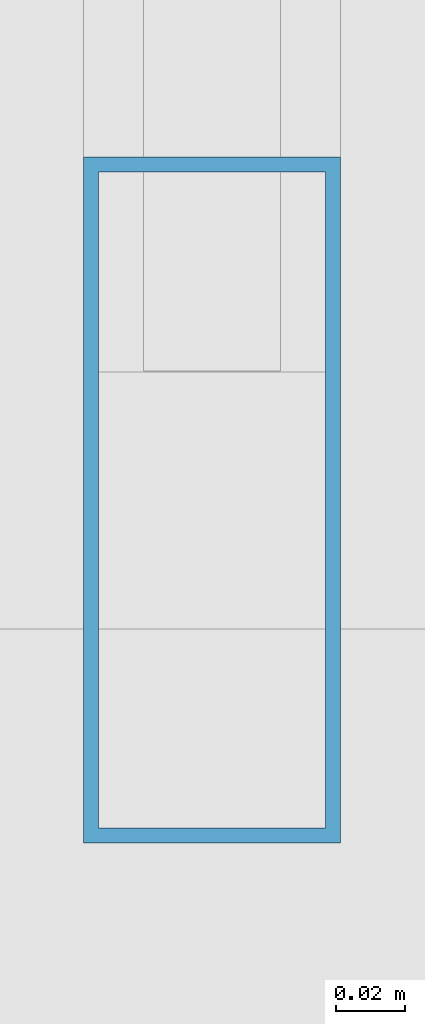
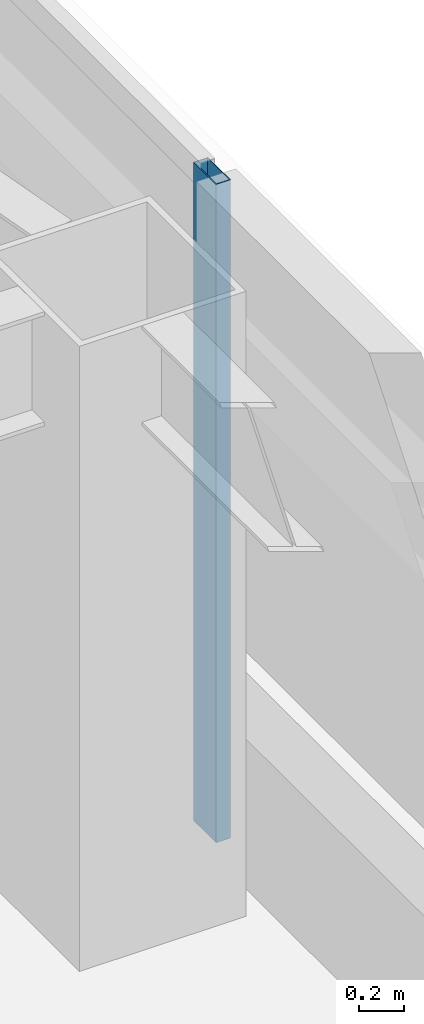
# One storey, part 13 of 50: 1 member, 1 element without a shape of its own.
"""IFC4 building model written with IfcOpenShell, lengths in metres."""

from ifc_helpers import new_model, si_unit, direction, frame, origin, origin_2d, place, context, subcontext, project, spatial, hollow_rectangle, extrude, material, material_profile, profile_set, type_object, element, aggregate, save


model = new_model("IFC4")

# Units and contexts
model_context = context("Model", 3, precision=1e-05, world=origin(), true_north=direction((0.0, 1.0)))
body_context = subcontext(model_context, "Body", "Model", "MODEL_VIEW")
ifc_project = project(units=[si_unit("LENGTHUNIT", "METRE"), si_unit("AREAUNIT", "SQUARE_METRE"), si_unit("VOLUMEUNIT", "CUBIC_METRE"), si_unit("PLANEANGLEUNIT", "RADIAN"), si_unit("MASSUNIT", "GRAM", prefix="KILO")], contexts=[model_context])

# Site, building, storey
site_placement = place(None, origin())
site = spatial("IfcSite", under=ifc_project, at=site_placement, CompositionType="ELEMENT")
building_placement = place(site_placement, origin())
building = spatial("IfcBuilding", under=site, at=building_placement, Name="Tashvorn Skyway Center", CompositionType="ELEMENT")
storey_placement = place(building_placement, frame((0.0, 0.0, 114.39990234375)))
storey = spatial("IfcBuildingStorey", under=building, at=storey_placement, Name="L30", CompositionType="ELEMENT", Elevation=114.39990234375)

# Curtain wall, member
ifc_material = material(Name="Thermally broken bronze-anodized aluminium 6063-T6", Category="aluminium")
curtain_wall_type = type_object("IfcCurtainWallType", Name="CW-CW-Z3", PredefinedType="NOTDEFINED", material=ifc_material)
curtain_wall_placement = place(storey_placement, origin())
curtain_wall = element("IfcCurtainWall", 1, at=curtain_wall_placement, inside=storey, type_object=curtain_wall_type, Name="Tower 1 L30 East Unitised Curtain Wall Glazing Group 1", PredefinedType="NOTDEFINED")
ifc_material_profile = material_profile(ifc_material, hollow_rectangle(XDim=0.074951171875, YDim=0.199951171875, WallThickness=0.00439453125, at=origin_2d()), Name="ALU-MULL-75x200")
ifc_profile_set = profile_set([ifc_material_profile], Name="Thermally broken bronze-anodized aluminium 6063-T6")
member_type = type_object("IfcMemberType", Name="CWM-CW-Z3", PredefinedType="MULLION", material=ifc_profile_set)
member_placement = place(storey_placement, frame((61.280029296875, 37.630859375, 0.0), z_axis=(0.0, 0.0, 1.0), x_axis=(1.0, 0.0, 0.0)))
member = element("IfcMember", 2, at=member_placement, type_object=member_type, Name="CW-Z3 mullion 2", PredefinedType="MULLION", context=body_context, shape_type="SweptSolid", body=[
    extrude(hollow_rectangle(XDim=0.074951171875, YDim=0.199951171875, WallThickness=0.00439453125, at=origin_2d()), origin(), (0.0, 0.0, 1.0), 3.550048828125),
])
aggregate(curtain_wall, [member])

save(model, "model.ifc")
